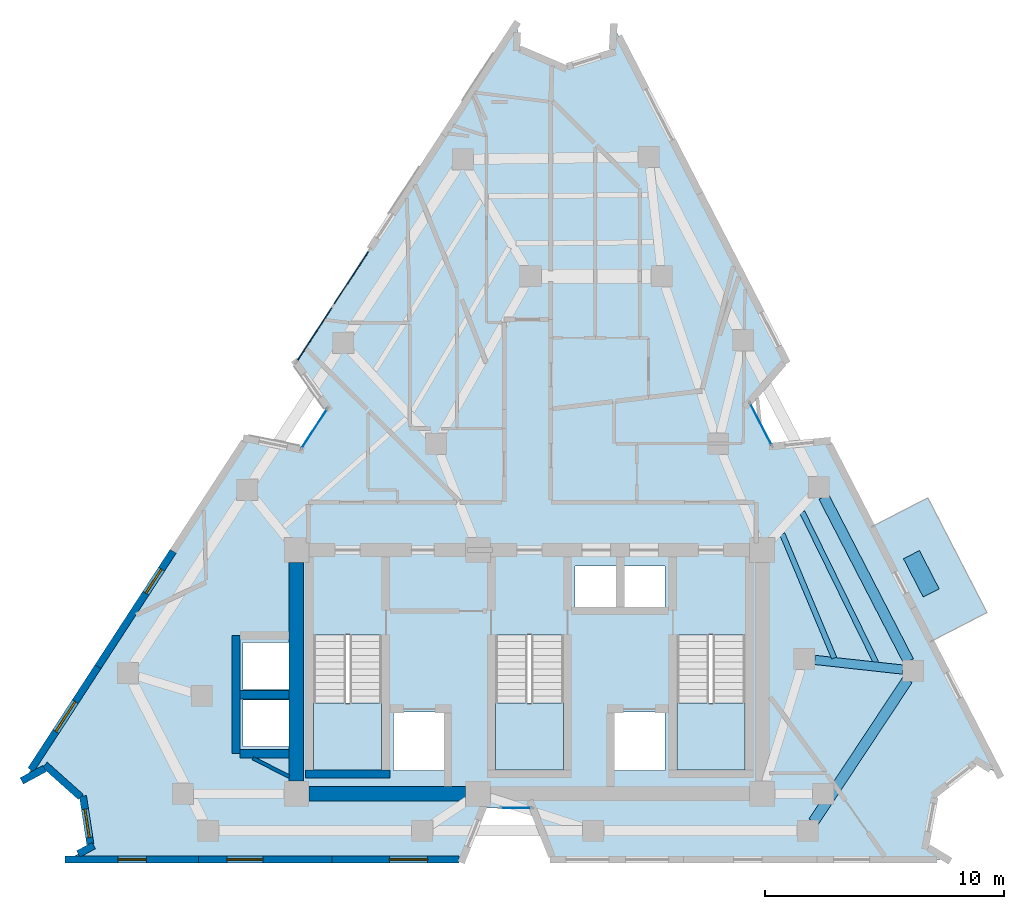
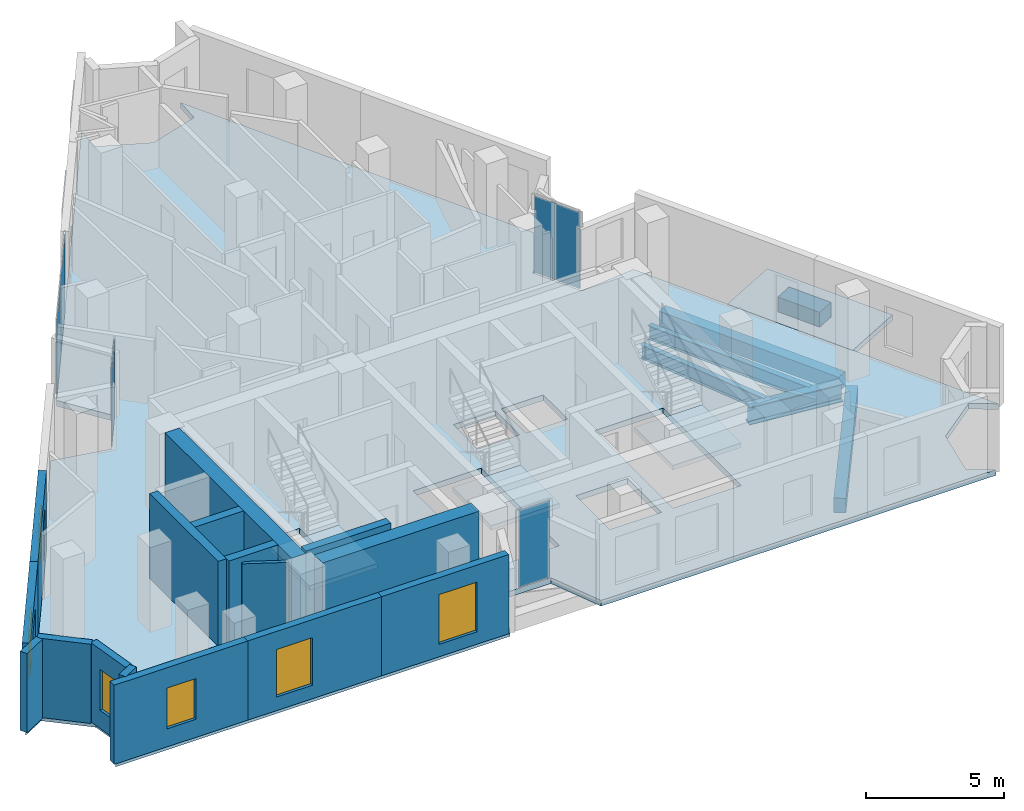
# One storey, part 4 of 10: 16 walls, 6 plates, 6 windows, 5 beams, 5 slabs, 6 openings, 7 elements without a shape of their own.
"""IFC4 building model written with IfcOpenShell, lengths in metres."""

import ifcopenshell
import ifcopenshell.guid

model = None  # the IFC model being written
_history = None  # IfcOwnerHistory: only IFC2X3 demands one
_inside = {}  # id of a spatial element -> (the spatial element, [elements in it])
_under = {}  # id of a project, library or spatial element -> (it, [spatial elements below it])
_declared = {}  # id of a project -> (the project, [libraries it declares])
_typed = {}  # id of a type object -> (the type object, [elements of that type])
_made_of = {}  # id of a material, layer set ... -> (it, [elements and type objects made of it])


def new_model(schema):
    """Start an empty IFC model of exactly this schema.

    Asked for "IFC4X3", IfcOpenShell would pick the latest addendum, in which some entities
    have other attributes; the version numbers below select the first issue.
    IFC2X3 requires an IfcOwnerHistory on every rooted entity: one is made here for all.
    """
    global model, _history
    if schema == "IFC4X3":
        model = ifcopenshell.file(schema_version=(4, 3, 0, 0))
    else:
        model = ifcopenshell.file(schema=schema)
    _inside.clear()
    _under.clear()
    _declared.clear()
    _typed.clear()
    _made_of.clear()
    _history = None
    if model.schema == "IFC2X3":
        org = make("IfcOrganization", Name="unknown")
        user = make(
            "IfcPersonAndOrganization",
            ThePerson=make("IfcPerson", FamilyName="unknown"),
            TheOrganization=org,
        )
        app = make(
            "IfcApplication",
            ApplicationDeveloper=org,
            Version="unknown",
            ApplicationFullName="unknown",
            ApplicationIdentifier="unknown",
        )
        _history = make(
            "IfcOwnerHistory",
            OwningUser=user,
            OwningApplication=app,
            ChangeAction="ADDED",
            CreationDate=0,
        )
    return model


def make(cls, **values):
    """One entity of the class cls with the attributes given. An attribute that is None is left unset."""
    return model.create_entity(
        cls, **{name: value for name, value in values.items() if value is not None}
    )


def rooted(cls, **values):
    """An entity with a GlobalId (a new one), such as an element, a storey or a relation."""
    return make(cls, GlobalId=ifcopenshell.guid.new(), OwnerHistory=_history, **values)


def si_unit(unit_type, name, prefix=None):
    """IfcSIUnit, for example si_unit("LENGTHUNIT", "METRE", prefix="MILLI")."""
    return make("IfcSIUnit", UnitType=unit_type, Prefix=prefix, Name=name)


def assignment(units):
    """IfcUnitAssignment: the units of a project."""
    return None if units is None else make("IfcUnitAssignment", Units=units)


def point(xyz):
    """IfcCartesianPoint."""
    return None if xyz is None else make("IfcCartesianPoint", Coordinates=xyz)


def direction(xyz):
    """IfcDirection."""
    return None if xyz is None else make("IfcDirection", DirectionRatios=xyz)


def frame(location, z_axis=None, x_axis=None):
    """IfcAxis2Placement3D, a coordinate frame: its origin and axes. An axis left out is left unset."""
    return make(
        "IfcAxis2Placement3D",
        Location=point(location),
        Axis=direction(z_axis),
        RefDirection=direction(x_axis),
    )


def frame_2d(location, x_axis=None):
    """IfcAxis2Placement2D, a coordinate frame in the plane: its origin and x axis."""
    return make(
        "IfcAxis2Placement2D", Location=point(location), RefDirection=direction(x_axis)
    )


def origin():
    """The frame at (0, 0, 0) with its axes left unset."""
    return frame((0.0, 0.0, 0.0))


def origin_2d():
    """The frame at (0, 0) in the plane with its x axis left unset."""
    return frame_2d((0.0, 0.0))


def place(relative_to, where):
    """IfcLocalPlacement: puts the frame where relative to a parent placement (None: the world)."""
    return make(
        "IfcLocalPlacement", PlacementRelTo=relative_to, RelativePlacement=where
    )


def context(
    kind, dimensions, precision=None, world=None, true_north=None, identifier=None
):
    """IfcGeometricRepresentationContext, for example the 3D "Model" context."""
    return make(
        "IfcGeometricRepresentationContext",
        ContextIdentifier=identifier,
        ContextType=kind,
        CoordinateSpaceDimension=dimensions,
        Precision=precision,
        WorldCoordinateSystem=world,
        TrueNorth=true_north,
    )


def subcontext(parent, identifier, kind, view, scale=None):
    """IfcGeometricRepresentationSubContext, for example "Body" below "Model"."""
    return make(
        "IfcGeometricRepresentationSubContext",
        ContextIdentifier=identifier,
        ContextType=kind,
        ParentContext=parent,
        TargetScale=scale,
        TargetView=view,
    )


def project(units=None, contexts=None):
    """IfcProject with its units and contexts."""
    return rooted(
        "IfcProject",
        Name="project",
        RepresentationContexts=contexts,
        UnitsInContext=assignment(units),
    )


def spatial(cls, under=None, at=None, **own):
    """A site, building, storey or space (cls), placed at a placement, below another one or the project."""
    s = rooted(cls, ObjectPlacement=at, **own)
    if under is not None:
        _under.setdefault(under.id(), (under, []))[1].append(s)
    return s


def polyline(points):
    """IfcPolyline through the points."""
    return make("IfcPolyline", Points=[point(p) for p in points])


def profile(cls, at=None, kind="AREA", **sizes):
    """A parametric profile (cls). Its sizes go by their IFC names, for example OverallWidth=200.0."""
    return make(cls, ProfileType=kind, Position=at, **sizes)


def rectangle(**sizes):
    """IfcRectangleProfileDef."""
    return profile("IfcRectangleProfileDef", **sizes)


def i_section(**sizes):
    """IfcIShapeProfileDef."""
    return profile("IfcIShapeProfileDef", **sizes)


def outline(outer, holes=None, kind="AREA"):
    """IfcArbitraryClosedProfileDef: a profile drawn as a closed curve; with holes, ...WithVoids."""
    if holes is None:
        return make("IfcArbitraryClosedProfileDef", ProfileType=kind, OuterCurve=outer)
    return make(
        "IfcArbitraryProfileDefWithVoids",
        ProfileType=kind,
        OuterCurve=outer,
        InnerCurves=holes,
    )


def extrude(swept, where, along, depth):
    """IfcExtrudedAreaSolid: the profile swept, set in the frame where, extruded along a direction by depth."""
    return make(
        "IfcExtrudedAreaSolid",
        SweptArea=swept,
        Position=where,
        ExtrudedDirection=direction(along),
        Depth=depth,
    )


def shape(context_of_items, identifier, shape_type, items):
    """IfcShapeRepresentation: the items that make up one representation, for example the "Body"."""
    return make(
        "IfcShapeRepresentation",
        ContextOfItems=context_of_items,
        RepresentationIdentifier=identifier,
        RepresentationType=shape_type,
        Items=items,
    )


def material(Name=None, Category=None):
    """IfcMaterial."""
    return make("IfcMaterial", Name=Name, Category=Category)


def layer(
    of_material, thickness, ventilated=None, Name=None, Category=None, Priority=None
):
    """IfcMaterialLayer: one layer of a wall or slab, of a material (None: an air gap)."""
    return make(
        "IfcMaterialLayer",
        Material=of_material,
        LayerThickness=thickness,
        IsVentilated=ventilated,
        Name=Name,
        Category=Category,
        Priority=Priority,
    )


def layer_set(layers, Name=None):
    """IfcMaterialLayerSet."""
    return make("IfcMaterialLayerSet", MaterialLayers=layers, LayerSetName=Name)


def material_profile(
    of_material, cross_section, Name=None, Category=None, Priority=None
):
    """IfcMaterialProfile: a cross section and its material."""
    return make(
        "IfcMaterialProfile",
        Name=Name,
        Material=of_material,
        Profile=cross_section,
        Priority=Priority,
        Category=Category,
    )


def profile_set(profiles, Name=None, composite=None):
    """IfcMaterialProfileSet."""
    return make(
        "IfcMaterialProfileSet",
        Name=Name,
        MaterialProfiles=profiles,
        CompositeProfile=composite,
    )


def made_of(thing, what):
    """Note that an element or type object is made of a material, layer set ...; save() writes the relation."""
    if what is not None:
        _made_of.setdefault(what.id(), (what, []))[1].append(thing)
    return thing


def type_object(cls, material=None, **own):
    """A type object (cls), such as IfcWallType, which elements share."""
    return made_of(rooted(cls, **own), material)


def element(
    cls,
    number,
    at=None,
    inside=None,
    cuts=None,
    type_object=None,
    material=None,
    context=None,
    identifier="Body",
    shape_type=None,
    held_by="IfcProductDefinitionShape",
    body=None,
    shapes=None,
    **own,
):
    """One element of the class cls, such as IfcWall. Its Tag is "e" and its number.

    at: its placement. inside: the storey or other place that contains it. cuts: it is an
    opening in that element (IfcRelVoidsElement). A single representation is given by context,
    identifier, shape_type and body (its items); several are given by shapes. held_by: the class
    of the entity that holds the representations. save() writes the other relations.
    """
    e = rooted(cls, Tag="e%d" % number, ObjectPlacement=at, **own)
    if body is not None:
        shapes = [shape(context, identifier, shape_type, body)]
    if shapes is not None:
        e.Representation = make(held_by, Representations=shapes)
    if inside is not None:
        _inside.setdefault(inside.id(), (inside, []))[1].append(e)
    if cuts is not None:
        rooted(
            "IfcRelVoidsElement", RelatingBuildingElement=cuts, RelatedOpeningElement=e
        )
    if type_object is not None:
        _typed.setdefault(type_object.id(), (type_object, []))[1].append(e)
    return made_of(e, material)


def fill(opening, filler):
    """IfcRelFillsElement: the door or window that sits in an opening."""
    return rooted(
        "IfcRelFillsElement",
        RelatingOpeningElement=opening,
        RelatedBuildingElement=filler,
    )


def aggregate(whole, parts):
    """IfcRelAggregates: a whole, such as a stair, and the parts it consists of."""
    return rooted("IfcRelAggregates", RelatingObject=whole, RelatedObjects=parts)


def save(model, path):
    """Write the relations noted so far, then the file.

    IfcRelAggregates (storeys below a building ...), IfcRelContainedInSpatialStructure (elements
    in a storey), IfcRelDefinesByType, IfcRelAssociatesMaterial and IfcRelDeclares: one each for
    every whole, place, type object, material and project.
    """
    for whole, parts in _under.values():
        aggregate(whole, parts)
    for where, things in _inside.values():
        rooted(
            "IfcRelContainedInSpatialStructure",
            RelatedElements=things,
            RelatingStructure=where,
        )
    for kind, things in _typed.values():
        rooted("IfcRelDefinesByType", RelatedObjects=things, RelatingType=kind)
    for what, things in _made_of.values():
        rooted("IfcRelAssociatesMaterial", RelatedObjects=things, RelatingMaterial=what)
    for by, libraries in _declared.values():
        rooted("IfcRelDeclares", RelatingContext=by, RelatedDefinitions=libraries)
    model.write(path)


model = new_model("IFC4")

# Units and contexts
model_context = context("Model", 3, precision=1e-05, world=origin(), true_north=direction((0.0, 1.0)))
body_context = subcontext(model_context, "Body", "Model", "MODEL_VIEW")
ifc_project = project(units=[si_unit("LENGTHUNIT", "METRE"), si_unit("AREAUNIT", "SQUARE_METRE"), si_unit("VOLUMEUNIT", "CUBIC_METRE"), si_unit("PLANEANGLEUNIT", "RADIAN"), si_unit("MASSUNIT", "GRAM", prefix="KILO")], contexts=[model_context])

# Site, building, storey
site_placement = place(None, origin())
site = spatial("IfcSite", under=ifc_project, at=site_placement, CompositionType="ELEMENT")
building_placement = place(site_placement, origin())
building = spatial("IfcBuilding", under=site, at=building_placement, Name="Almagre Mirador Tower", CompositionType="ELEMENT")
storey_placement = place(building_placement, frame((0.0, 0.0, 222.0)))
storey = spatial("IfcBuildingStorey", under=building, at=storey_placement, Name="L57", CompositionType="ELEMENT", Elevation=222.0)

# Beams
ifc_material_1 = material(Name="Steel ASTM A992 Grade 50", Category="steel")
ifc_material_profile_1 = material_profile(ifc_material_1, i_section(OverallWidth=0.22802734375, OverallDepth=0.60791015625, WebThickness=0.01123046875, FlangeThickness=0.017333984375, FilletRadius=0.02001953125, at=origin_2d()), Name="W24X76")
ifc_profile_set_1 = profile_set([ifc_material_profile_1], Name="Steel ASTM A992 Grade 50")
beam_type_1 = type_object("IfcBeamType", Name="BM-JST-W24X76", PredefinedType="JOIST", material=ifc_profile_set_1)
beam_1_placement = place(storey_placement, frame((51.814208984375, 10.032470703125, -0.553955078125), z_axis=(-0.440499526786, 0.897752842881, 0.0), x_axis=(-0.897752842881, -0.440499526786, 0.0)))
element("IfcBeam", 1, at=beam_1_placement, inside=storey, type_object=beam_type_1, Name="L57 secondary floor joist PC05-PC06.1", PredefinedType="JOIST", context=body_context, shape_type="SweptSolid", body=[
    extrude(i_section(OverallWidth=0.22802734375, OverallDepth=0.60791015625, WebThickness=0.01123046875, FlangeThickness=0.017333984375, FilletRadius=0.02001953125, at=origin_2d()), origin(), (0.0, 0.0, 1.0), 7.02392578125),
])
beam_2_placement = place(storey_placement, frame((50.056884765625, 10.231201171875, -0.553955078125), z_axis=(-0.38582023775, 0.922573977599, 0.0), x_axis=(-0.922573977599, -0.38582023775, 0.0)))
element("IfcBeam", 2, at=beam_2_placement, inside=storey, type_object=beam_type_1, Name="L57 secondary floor joist PC05-PC06.3", PredefinedType="JOIST", context=body_context, shape_type="SweptSolid", body=[
    extrude(i_section(OverallWidth=0.22802734375, OverallDepth=0.60791015625, WebThickness=0.01123046875, FlangeThickness=0.017333984375, FilletRadius=0.02001953125, at=origin_2d()), origin(), (0.0, 0.0, 1.0), 5.624267578125),
])
ifc_material_2 = material(Name="Precast concrete C50/60", Category="concrete")
ifc_material_profile_2 = material_profile(ifc_material_2, rectangle(XDim=0.449951171875, YDim=0.64990234375, at=origin_2d()), Name="RC450X650")
ifc_profile_set_2 = profile_set([ifc_material_profile_2], Name="Precast concrete C50/60")
beam_type_2 = type_object("IfcBeamType", Name="BM-SPN-RC450X650", PredefinedType="SPANDREL", material=ifc_profile_set_2)
beam_3_placement = place(storey_placement, frame((49.1923828125, 3.375244140625, -0.574951171875), z_axis=(0.551908560309, 0.83390463547, 0.0), x_axis=(-0.83390463547, 0.551908560309, 0.0)))
element("IfcBeam", 3, at=beam_3_placement, inside=storey, type_object=beam_type_2, Name="L57 perimeter spandrel beam PC04-PC05", PredefinedType="SPANDREL", context=body_context, shape_type="SweptSolid", body=[
    extrude(rectangle(XDim=0.449951171875, YDim=0.64990234375, at=origin_2d()), origin(), (0.0, 0.0, 1.0), 7.132080078125),
])
beam_4_placement = place(storey_placement, frame((53.1708984375, 10.097900390625, -0.574951171875), z_axis=(-0.45829341544, 0.888800959363, 0.0), x_axis=(-0.888800959363, -0.45829341544, 0.0)))
element("IfcBeam", 4, at=beam_4_placement, inside=storey, type_object=beam_type_2, Name="L57 perimeter spandrel beam PC05-PC06", PredefinedType="SPANDREL", context=body_context, shape_type="SweptSolid", body=[
    extrude(rectangle(XDim=0.449951171875, YDim=0.64990234375, at=origin_2d()), origin(), (0.0, 0.0, 1.0), 7.740966796875),
])
ifc_material_3 = material(Name="Steel ASTM A992 Grade 50", Category="steel")
ifc_material_profile_3 = material_profile(ifc_material_3, i_section(OverallWidth=0.384033203125, OverallDepth=0.784912109375, WebThickness=0.019775390625, FlangeThickness=0.033447265625, FilletRadius=0.02392578125, at=origin_2d()), Name="W30X211")
ifc_profile_set_3 = profile_set([ifc_material_profile_3], Name="Steel ASTM A992 Grade 50")
beam_type_3 = type_object("IfcBeamType", Name="BM-STL-W30X211", PredefinedType="BEAM", material=ifc_profile_set_3)
beam_5_placement = place(storey_placement, frame((52.9296875, 9.7470703125, -0.642578125), z_axis=(-0.994041045224, 0.109006423709, 0.0), x_axis=(-0.109006423709, -0.994041045224, 0.0)))
element("IfcBeam", 5, at=beam_5_placement, inside=storey, type_object=beam_type_3, Name="L57 radial floor girder PC05-MC3", PredefinedType="BEAM", context=body_context, shape_type="SweptSolid", body=[
    extrude(i_section(OverallWidth=0.384033203125, OverallDepth=0.784912109375, WebThickness=0.019775390625, FlangeThickness=0.033447265625, FilletRadius=0.02392578125, at=origin_2d()), origin(), (0.0, 0.0, 1.0), 3.704345703125),
])

# Curtain wall, plate
ifc_material_4 = material(Name="Black anodized aluminium", Category="aluminium")
ifc_layer_1 = layer(ifc_material_4, 0.169921875)
ifc_layer_set_1 = layer_set([ifc_layer_1], Name="Black anodized aluminium")
curtain_wall_type_1 = type_object("IfcCurtainWallType", Name="CW-CRS-SYS", PredefinedType="NOTDEFINED", material=ifc_layer_set_1)
curtain_wall_1_placement = place(storey_placement, origin())
curtain_wall_1 = element("IfcCurtainWall", 6, at=curtain_wall_1_placement, inside=storey, type_object=curtain_wall_type_1, Name="L57 vertical crease curtain wall 01", PredefinedType="NOTDEFINED")
ifc_material_5 = material(Name="Dark solar-control laminated hurricane glass", Category="glass")
ifc_layer_2 = layer(ifc_material_5, 0.028076171875)
ifc_layer_set_2 = layer_set([ifc_layer_2], Name="Dark solar-control laminated hurricane glass")
plate_type_1 = type_object("IfcPlateType", Name="PLT-GLZ-28", PredefinedType="CURTAIN_PANEL", material=ifc_layer_set_2)
plate_1_placement = place(storey_placement, frame((28.302001953125, 19.826904296875, 0.06005859375), z_axis=(0.0, 0.0, 1.0), x_axis=(0.545391870387, 0.838181190266, 0.0)))
plate_1 = element("IfcPlate", 7, at=plate_1_placement, type_object=plate_type_1, Name="CW-4 panel 1.1", PredefinedType="CURTAIN_PANEL", context=body_context, shape_type="SweptSolid", body=[
    extrude(rectangle(XDim=1.97021484375, YDim=0.028076171875, at=origin_2d()), origin(), (0.0, 0.0, 1.0), 3.3798828125),
])
aggregate(curtain_wall_1, [plate_1])

curtain_wall_2_placement = place(storey_placement, origin())
curtain_wall_2 = element("IfcCurtainWall", 8, at=curtain_wall_2_placement, inside=storey, type_object=curtain_wall_type_1, Name="L57 vertical crease curtain wall 03", PredefinedType="NOTDEFINED")
plate_2_placement = place(storey_placement, frame((46.989013671875, 20.014404296875, 0.06005859375), z_axis=(0.0, 0.0, 1.0), x_axis=(0.458472245436, -0.888708726279, 0.0)))
plate_2 = element("IfcPlate", 9, at=plate_2_placement, type_object=plate_type_1, Name="CW-4 panel 1.1", PredefinedType="CURTAIN_PANEL", context=body_context, shape_type="SweptSolid", body=[
    extrude(rectangle(XDim=1.969482421875, YDim=0.028076171875, at=origin_2d()), origin(), (0.0, 0.0, 1.0), 3.3798828125),
])
aggregate(curtain_wall_2, [plate_2])

curtain_wall_3_placement = place(storey_placement, origin())
curtain_wall_3 = element("IfcCurtainWall", 10, at=curtain_wall_3_placement, inside=storey, type_object=curtain_wall_type_1, Name="L57 vertical crease curtain wall 04", PredefinedType="NOTDEFINED")
plate_3_placement = place(storey_placement, frame((36.739990234375, 3.949951171875, 0.06005859375), z_axis=(0.0, 0.0, 1.0), x_axis=(-1.0, 0.0, 0.0)))
plate_3 = element("IfcPlate", 11, at=plate_3_placement, type_object=plate_type_1, Name="CW-4 panel 1.1", PredefinedType="CURTAIN_PANEL", context=body_context, shape_type="SweptSolid", body=[
    extrude(rectangle(XDim=1.2900390625, YDim=0.028076171875, at=origin_2d()), origin(), (0.0, 0.0, 1.0), 3.3798828125),
])
aggregate(curtain_wall_3, [plate_3])

# Curtain wall, plates
ifc_material_6 = material(Name="Black anodized aluminium", Category="aluminium")
ifc_layer_3 = layer(ifc_material_6, 0.199951171875)
ifc_layer_set_3 = layer_set([ifc_layer_3], Name="Black anodized aluminium")
curtain_wall_type_2 = type_object("IfcCurtainWallType", Name="CW-RES-H-SYS", PredefinedType="NOTDEFINED", material=ifc_layer_set_3)
curtain_wall_4_placement = place(storey_placement, origin())
curtain_wall_4 = element("IfcCurtainWall", 12, at=curtain_wall_4_placement, inside=storey, type_object=curtain_wall_type_2, Name="L57 curtain wall run 02", PredefinedType="NOTDEFINED")
ifc_material_7 = material(Name="Dark solar-control laminated hurricane glass", Category="glass")
ifc_layer_4 = layer(ifc_material_7, 0.035888671875)
ifc_layer_set_4 = layer_set([ifc_layer_4], Name="Dark solar-control laminated hurricane glass")
plate_type_2 = type_object("IfcPlateType", Name="PLT-GLZ-36", PredefinedType="CURTAIN_PANEL", material=ifc_layer_set_4)
plate_4_placement = place(storey_placement, frame((28.3193359375, 23.793701171875, 0.06494140625), z_axis=(0.0, 0.0, 1.0), x_axis=(0.545595693916, 0.838048530086, 0.0)))
plate_4 = element("IfcPlate", 13, at=plate_4_placement, type_object=plate_type_2, Name="CW-3 panel 1.1", PredefinedType="CURTAIN_PANEL", context=body_context, shape_type="SweptSolid", body=[
    extrude(rectangle(XDim=2.737548828125, YDim=0.035888671875, at=origin_2d()), origin(), (0.0, 0.0, 1.0), 3.3701171875),
])
plate_5_placement = place(storey_placement, frame((29.848388671875, 26.142333984375, 0.06494140625), z_axis=(0.0, 0.0, 1.0), x_axis=(0.545595693916, 0.838048530086, 0.0)))
plate_5 = element("IfcPlate", 14, at=plate_5_placement, type_object=plate_type_2, Name="CW-3 panel 2.1", PredefinedType="CURTAIN_PANEL", context=body_context, shape_type="SweptSolid", body=[
    extrude(rectangle(XDim=2.737548828125, YDim=0.035888671875, at=origin_2d()), origin(), (0.0, 0.0, 1.0), 3.3701171875),
])
aggregate(curtain_wall_4, [plate_4, plate_5])

# Plate
ifc_material_8 = material(Name="Precast concrete C50/60", Category="concrete")
ifc_layer_5 = layer(ifc_material_8, 0.64990234375)
ifc_layer_set_5 = layer_set([ifc_layer_5], Name="Precast concrete C50/60")
plate_type_3 = type_object("IfcPlateType", Name="PLT-PLANTER-1800", PredefinedType="USERDEFINED", material=ifc_layer_set_5)
plate_6_placement = place(storey_placement, frame((53.7041015625, 13.7548828125, 0.0), z_axis=(0.0, 0.0, 1.0), x_axis=(-0.45829280372, 0.888801274784, 0.0)))
element("IfcPlate", 15, at=plate_6_placement, inside=storey, type_object=plate_type_3, Name="L57 east balcony structural tree planter 1", ObjectType="PLANTER", PredefinedType="USERDEFINED", context=body_context, shape_type="SweptSolid", body=[
    extrude(rectangle(XDim=1.800048828125, YDim=0.75, at=origin_2d()), origin(), (0.0, 0.0, 1.0), 0.64990234375),
])

# Slabs
ifc_material_9 = material(Name="Concrete C45/55", Category="concrete")
ifc_layer_6 = layer(ifc_material_9, 0.239990234375)
ifc_layer_set_6 = layer_set([ifc_layer_6], Name="Concrete C45/55")
slab_type_1 = type_object("IfcSlabType", Name="SLB-BAL-240", PredefinedType="USERDEFINED", material=ifc_layer_set_6)
slab_1_placement = place(storey_placement, frame((0.0, 0.0, -0.239990234375)))
element("IfcSlab", 16, at=slab_1_placement, inside=storey, type_object=slab_type_1, Name="L57 east planted tree balcony 1", ObjectType="BALCONY", PredefinedType="USERDEFINED", context=body_context, shape_type="SweptSolid", body=[
    extrude(outline(polyline([(54.0791015625, 10.910888671875), (51.60498046875, 15.7109375), (53.97802734375, 16.93408203125), (56.452880859375, 12.135009765625), (54.0791015625, 10.910888671875)])), origin(), (0.0, 0.0, 1.0), 0.239990234375),
])
ifc_material_10 = material(Name="Concrete C45/55", Category="concrete")
ifc_layer_7 = layer(ifc_material_10, 0.25)
ifc_layer_set_7 = layer_set([ifc_layer_7], Name="Concrete C45/55")
slab_type_2 = type_object("IfcSlabType", Name="SLB-FLR-250", PredefinedType="FLOOR", material=ifc_layer_set_7)
slab_2_placement = place(storey_placement, frame((0.0, 0.0, -0.25)))
element("IfcSlab", 17, at=slab_2_placement, inside=storey, type_object=slab_type_2, Name="L57 structural floor slab", PredefinedType="FLOOR", context=body_context, shape_type="SweptSolid", body=[
    extrude(outline(polyline([(16.181884765625, 5.152099609375), (17.132080078125, 5.6669921875), (18.64208984375, 4.31689453125), (18.948974609375, 2.31494140625), (18.0, 1.800048828125), (34.5, 1.800048828125), (35.35498046875, 3.949951171875), (37.445068359375, 3.949951171875), (38.300048828125, 1.800048828125), (54.800048828125, 1.800048828125), (53.8779296875, 2.362060546875), (54.291015625, 4.548095703125), (56.044921875, 5.9169921875), (56.967041015625, 5.35498046875), (49.77099609375, 19.31103515625), (47.468017578125, 19.0859375), (46.510009765625, 20.943115234375), (48.029052734375, 22.68896484375), (40.8330078125, 36.64501953125), (40.779052734375, 35.56591796875), (38.73291015625, 34.927001953125), (36.762939453125, 35.76904296875), (36.818115234375, 36.847900390625), (27.537109375, 22.592041015625), (28.8720703125, 20.702880859375), (27.73193359375, 18.950927734375), (25.462890625, 19.407958984375), (16.181884765625, 5.152099609375)]), holes=[polyline([(43.47509765625, 5.550048828125), (43.47509765625, 11.196044921875), (46.324951171875, 11.196044921875), (46.324951171875, 5.550048828125), (43.47509765625, 5.550048828125)]), polyline([(41.219970703125, 12.320068359375), (41.219970703125, 14.080078125), (42.97998046875, 14.080078125), (42.97998046875, 12.320068359375), (41.219970703125, 12.320068359375)]), polyline([(42.97998046875, 5.52001953125), (40.820068359375, 5.52001953125), (40.820068359375, 7.97998046875), (42.97998046875, 7.97998046875), (42.97998046875, 5.52001953125)]), polyline([(39.219970703125, 12.320068359375), (39.219970703125, 14.080078125), (40.97998046875, 14.080078125), (40.97998046875, 12.320068359375), (39.219970703125, 12.320068359375)]), polyline([(35.875, 5.550048828125), (35.875, 11.196044921875), (38.72509765625, 11.196044921875), (38.72509765625, 5.550048828125), (35.875, 5.550048828125)]), polyline([(33.780029296875, 5.52001953125), (31.6201171875, 5.52001953125), (31.6201171875, 7.97998046875), (33.780029296875, 7.97998046875), (33.780029296875, 5.52001953125)]), polyline([(28.27490234375, 5.550048828125), (28.27490234375, 11.196044921875), (31.125, 11.196044921875), (31.125, 5.550048828125), (28.27490234375, 5.550048828125)]), polyline([(27.3798828125, 6.52001953125), (25.320068359375, 6.52001953125), (25.320068359375, 8.47998046875), (27.3798828125, 8.47998046875), (27.3798828125, 6.52001953125)]), polyline([(27.3798828125, 8.919921875), (25.320068359375, 8.919921875), (25.320068359375, 10.8798828125), (27.3798828125, 10.8798828125), (27.3798828125, 8.919921875)])]), origin(), (0.0, 0.0, 1.0), 0.25),
])

# Stair, slab
ifc_material_11 = material(Name="Concrete C45/55", Category="concrete")
stair_type = type_object("IfcStairType", Name="STR-DL-3750", PredefinedType="HALF_TURN_STAIR", material=ifc_material_11)
stair_1_placement = place(storey_placement, origin())
stair_1 = element("IfcStair", 18, at=stair_1_placement, inside=storey, type_object=stair_type, Name="L57 Protected exit stair ST-1", PredefinedType="HALF_TURN_STAIR")
ifc_material_12 = material(Name="Concrete C45/55", Category="concrete")
ifc_layer_8 = layer(ifc_material_12, 0.199951171875)
ifc_layer_set_8 = layer_set([ifc_layer_8], Name="Concrete C45/55")
slab_type_3 = type_object("IfcSlabType", Name="SLB-LND-200", PredefinedType="LANDING", material=ifc_layer_set_8)
slab_3_placement = place(storey_placement, frame((0.0, 0.0, 1.675048828125)))
slab_3 = element("IfcSlab", 19, at=slab_3_placement, type_object=slab_type_3, Name="ST-1 landing 1", PredefinedType="LANDING", context=body_context, shape_type="SweptSolid", body=[
    extrude(outline(polyline([(28.27490234375, 8.35009765625), (28.27490234375, 5.550048828125), (31.125, 5.550048828125), (31.125, 8.35009765625), (28.27490234375, 8.35009765625)])), origin(), (0.0, 0.0, 1.0), 0.199951171875),
])
aggregate(stair_1, [slab_3])

stair_2_placement = place(storey_placement, origin())
stair_2 = element("IfcStair", 20, at=stair_2_placement, inside=storey, type_object=stair_type, Name="L57 Protected exit stair ST-2", PredefinedType="HALF_TURN_STAIR")
slab_4_placement = place(storey_placement, frame((0.0, 0.0, 1.675048828125)))
slab_4 = element("IfcSlab", 21, at=slab_4_placement, type_object=slab_type_3, Name="ST-2 landing 1", PredefinedType="LANDING", context=body_context, shape_type="SweptSolid", body=[
    extrude(outline(polyline([(35.875, 8.35009765625), (35.875, 5.550048828125), (38.72509765625, 5.550048828125), (38.72509765625, 8.35009765625), (35.875, 8.35009765625)])), origin(), (0.0, 0.0, 1.0), 0.199951171875),
])
aggregate(stair_2, [slab_4])

stair_3_placement = place(storey_placement, origin())
stair_3 = element("IfcStair", 22, at=stair_3_placement, inside=storey, type_object=stair_type, Name="L57 Protected exit stair ST-3", PredefinedType="HALF_TURN_STAIR")
slab_5_placement = place(storey_placement, frame((0.0, 0.0, 1.675048828125)))
slab_5 = element("IfcSlab", 23, at=slab_5_placement, type_object=slab_type_3, Name="ST-3 landing 1", PredefinedType="LANDING", context=body_context, shape_type="SweptSolid", body=[
    extrude(outline(polyline([(43.47509765625, 8.35009765625), (43.47509765625, 5.550048828125), (46.324951171875, 5.550048828125), (46.324951171875, 8.35009765625), (43.47509765625, 8.35009765625)])), origin(), (0.0, 0.0, 1.0), 0.199951171875),
])
aggregate(stair_3, [slab_5])

# Wall, opening, window
ifc_material_13 = material(Name="Precast concrete C50/60", Category="concrete")
ifc_layer_9 = layer(ifc_material_13, 0.300048828125)
ifc_layer_set_9 = layer_set([ifc_layer_9], Name="Precast concrete C50/60")
wall_type_1 = type_object("IfcWallType", Name="WAL-EXT-300", PredefinedType="SOLIDWALL", material=ifc_layer_set_9)
wall_1_placement = place(storey_placement, frame((34.360107421875, 1.800048828125, 0.0), z_axis=(0.0, 0.0, 1.0), x_axis=(-1.0, 0.0, 0.0)))
wall_1 = element("IfcWall", 24, at=wall_1_placement, inside=storey, type_object=wall_type_1, Name="L57 expressed almagre precast frame wall 24", PredefinedType="SOLIDWALL", context=body_context, shape_type="SweptSolid", body=[
    extrude(rectangle(XDim=5.3134765625, YDim=0.300048828125, at=frame_2d((2.65673828125, 0.0))), origin(), (0.0, 0.0, 1.0), 3.5),
])
opening_1_placement = place(wall_1_placement, frame((1.320068359375, 0.0, 0.550048828125)))
opening_1 = element("IfcOpeningElement", 25, at=opening_1_placement, cuts=wall_1, Name="Opening WN-06", PredefinedType="OPENING", context=body_context, shape_type="SweptSolid", body=[
    extrude(rectangle(XDim=1.60009765625, YDim=2.199951171875, at=frame_2d((0.800048828125, 1.10009765625))), frame((0.0, 0.159902, 0.0), z_axis=(0.0, -1.0, 0.0), x_axis=(1.0, 0.0, 0.0)), (0.0, 0.0, 1.0), 0.320049),
])
ifc_material_14 = material(Name="Dark solar-control laminated hurricane glass", Category="glass")
window_type_1 = type_object("IfcWindowType", Name="WIN-1600X2200", PartitioningType="DOUBLE_PANEL_VERTICAL", PredefinedType="WINDOW", material=ifc_material_14)
window_1_placement = place(opening_1_placement, origin())
window_1 = element("IfcWindow", 26, at=window_1_placement, inside=storey, type_object=window_type_1, Name="L57 recessed hurricane window L57-UB-KT", OverallHeight=2.199951171875, OverallWidth=1.60009765625, PartitioningType="SINGLE_PANEL", PredefinedType="WINDOW", context=body_context, shape_type="SweptSolid", body=[
    extrude(rectangle(XDim=1.60009765625, YDim=2.199951171875, at=frame_2d((0.800048828125, 1.10009765625))), frame((0.0, 0.030029296875, 0.0), z_axis=(0.0, -1.0, 0.0), x_axis=(1.0, 0.0, 0.0)), (0.0, 0.0, 1.0), 0.06005859375),
])
fill(opening_1, window_1)

wall_2_placement = place(storey_placement, frame((29.046630859375, 1.800048828125, 0.0), z_axis=(0.0, 0.0, 1.0), x_axis=(-1.0, 0.0, 0.0)))
wall_2 = element("IfcWall", 27, at=wall_2_placement, inside=storey, type_object=wall_type_1, Name="L57 expressed almagre precast frame wall 25", PredefinedType="SOLIDWALL", context=body_context, shape_type="SweptSolid", body=[
    extrude(rectangle(XDim=5.59326171875, YDim=0.300048828125, at=frame_2d((2.796630859375, 0.0))), origin(), (0.0, 0.0, 1.0), 3.5),
])
opening_2_placement = place(wall_2_placement, frame((2.89990234375, 0.0, 0.60009765625)))
opening_2 = element("IfcOpeningElement", 28, at=opening_2_placement, cuts=wall_2, Name="Opening WN-03", PredefinedType="OPENING", context=body_context, shape_type="SweptSolid", body=[
    extrude(rectangle(XDim=1.5, YDim=2.10009765625, at=frame_2d((0.75, 1.050048828125))), frame((0.0, 0.159902, 0.0), z_axis=(0.0, -1.0, 0.0), x_axis=(1.0, 0.0, 0.0)), (0.0, 0.0, 1.0), 0.320049),
])
ifc_material_15 = material(Name="Dark solar-control laminated hurricane glass", Category="glass")
window_type_2 = type_object("IfcWindowType", Name="WIN-1500X2100", PartitioningType="DOUBLE_PANEL_VERTICAL", PredefinedType="WINDOW", material=ifc_material_15)
window_2_placement = place(opening_2_placement, origin())
window_2 = element("IfcWindow", 29, at=window_2_placement, inside=storey, type_object=window_type_2, Name="L57 recessed hurricane window L57-UA-KT", OverallHeight=2.10009765625, OverallWidth=1.5, PartitioningType="SINGLE_PANEL", PredefinedType="WINDOW", context=body_context, shape_type="SweptSolid", body=[
    extrude(rectangle(XDim=1.5, YDim=2.10009765625, at=frame_2d((0.75, 1.050048828125))), frame((0.0, 0.030029296875, 0.0), z_axis=(0.0, -1.0, 0.0), x_axis=(1.0, 0.0, 0.0)), (0.0, 0.0, 1.0), 0.06005859375),
])
fill(opening_2, window_2)

wall_3_placement = place(storey_placement, frame((23.453369140625, 1.800048828125, 0.0), z_axis=(0.0, 0.0, 1.0), x_axis=(-1.0, 0.0, 0.0)))
wall_3 = element("IfcWall", 30, at=wall_3_placement, inside=storey, type_object=wall_type_1, Name="L57 expressed almagre precast frame wall 26", PredefinedType="SOLIDWALL", context=body_context, shape_type="SweptSolid", body=[
    extrude(rectangle(XDim=5.59326171875, YDim=0.300048828125, at=frame_2d((2.796630859375, 0.0))), origin(), (0.0, 0.0, 1.0), 3.5),
])
opening_3_placement = place(wall_3_placement, frame((2.175048828125, 0.0, 0.800048828125)))
opening_3 = element("IfcOpeningElement", 31, at=opening_3_placement, cuts=wall_3, Name="Opening WN-04", PredefinedType="OPENING", context=body_context, shape_type="SweptSolid", body=[
    extrude(rectangle(XDim=1.199951171875, YDim=1.800048828125, at=frame_2d((0.60009765625, 0.89990234375))), frame((0.0, 0.159902, 0.0), z_axis=(0.0, -1.0, 0.0), x_axis=(1.0, 0.0, 0.0)), (0.0, 0.0, 1.0), 0.320049),
])
ifc_material_16 = material(Name="Dark solar-control laminated hurricane glass", Category="glass")
window_type_3 = type_object("IfcWindowType", Name="WIN-1200X1800", PartitioningType="SINGLE_PANEL", PredefinedType="WINDOW", material=ifc_material_16)
window_3_placement = place(opening_3_placement, origin())
window_3 = element("IfcWindow", 32, at=window_3_placement, inside=storey, type_object=window_type_3, Name="L57 recessed hurricane window L57-UA-BT", OverallHeight=1.800048828125, OverallWidth=1.199951171875, PartitioningType="SINGLE_PANEL", PredefinedType="WINDOW", context=body_context, shape_type="SweptSolid", body=[
    extrude(rectangle(XDim=1.199951171875, YDim=1.800048828125, at=frame_2d((0.60009765625, 0.89990234375))), frame((0.0, 0.030029296875, 0.0), z_axis=(0.0, -1.0, 0.0), x_axis=(1.0, 0.0, 0.0)), (0.0, 0.0, 1.0), 0.06005859375),
])
fill(opening_3, window_3)

# Wall
wall_4_placement = place(storey_placement, frame((18.42626953125, 2.03125, 0.0), z_axis=(0.0, 0.0, 1.0), x_axis=(0.878833528688, 0.47712852446, 0.0)))
element("IfcWall", 33, at=wall_4_placement, inside=storey, type_object=wall_type_1, Name="L57 expressed almagre precast frame wall 27", PredefinedType="SOLIDWALL", context=body_context, shape_type="SweptSolid", body=[
    extrude(rectangle(XDim=0.73486328125, YDim=0.300048828125, at=frame_2d((0.367431640625, 0.0))), origin(), (0.0, 0.0, 1.0), 3.5),
])

# Wall, opening, window
wall_5_placement = place(storey_placement, frame((18.928466796875, 2.448486328125, 0.0), z_axis=(0.0, 0.0, 1.0), x_axis=(-0.151514993769, 0.98845495935, 0.0)))
wall_5 = element("IfcWall", 34, at=wall_5_placement, inside=storey, type_object=wall_type_1, Name="L57 expressed almagre precast frame wall 28", PredefinedType="SOLIDWALL", context=body_context, shape_type="SweptSolid", body=[
    extrude(rectangle(XDim=2.0302734375, YDim=0.300048828125, at=frame_2d((1.01513671875, 0.0))), origin(), (0.0, 0.0, 1.0), 3.5),
])
opening_4_placement = place(wall_5_placement, frame((0.27490234375, 0.0, 0.800048828125)))
opening_4 = element("IfcOpeningElement", 35, at=opening_4_placement, cuts=wall_5, Name="Opening WN-04", PredefinedType="OPENING", context=body_context, shape_type="SweptSolid", body=[
    extrude(rectangle(XDim=1.199951171875, YDim=1.800048828125, at=frame_2d((0.60009765625, 0.89990234375))), frame((0.0, 0.159902, 0.0), z_axis=(0.0, -1.0, 0.0), x_axis=(1.0, 0.0, 0.0)), (0.0, 0.0, 1.0), 0.320049),
])
window_4_placement = place(opening_4_placement, origin())
window_4 = element("IfcWindow", 36, at=window_4_placement, inside=storey, type_object=window_type_3, Name="L57 recessed hurricane window L57-UA-BT", OverallHeight=1.800048828125, OverallWidth=1.199951171875, PartitioningType="SINGLE_PANEL", PredefinedType="WINDOW", context=body_context, shape_type="SweptSolid", body=[
    extrude(rectangle(XDim=1.199951171875, YDim=1.800048828125, at=frame_2d((0.60009765625, 0.89990234375))), frame((0.0, 0.030029296875, 0.0), z_axis=(0.0, -1.0, 0.0), x_axis=(1.0, 0.0, 0.0)), (0.0, 0.0, 1.0), 0.06005859375),
])
fill(opening_4, window_4)

# Walls
wall_6_placement = place(storey_placement, frame((18.5302734375, 4.4169921875, 0.0), z_axis=(0.0, 0.0, 1.0), x_axis=(-0.745548529149, 0.666451341572, 0.0)))
element("IfcWall", 37, at=wall_6_placement, inside=storey, type_object=wall_type_1, Name="L57 expressed almagre precast frame wall 29", PredefinedType="SOLIDWALL", context=body_context, shape_type="SweptSolid", body=[
    extrude(rectangle(XDim=2.015625, YDim=0.300048828125, at=frame_2d((1.0078125, 0.0))), origin(), (0.0, 0.0, 1.0), 3.5),
])
wall_7_placement = place(storey_placement, frame((17.01318359375, 5.602783203125, 0.0), z_axis=(0.0, 0.0, 1.0), x_axis=(-0.879044634191, -0.476739479275, 0.0)))
element("IfcWall", 38, at=wall_7_placement, inside=storey, type_object=wall_type_1, Name="L57 expressed almagre precast frame wall 30", PredefinedType="SOLIDWALL", context=body_context, shape_type="SweptSolid", body=[
    extrude(rectangle(XDim=1.085693359375, YDim=0.300048828125, at=frame_2d((0.54296875, 0.0))), origin(), (0.0, 0.0, 1.0), 3.5),
])

# Wall, opening, window
wall_8_placement = place(storey_placement, frame((16.441162109375, 5.550048828125, 0.0), z_axis=(0.0, 0.0, 1.0), x_axis=(0.545584888798, 0.838055564455, 0.0)))
wall_8 = element("IfcWall", 39, at=wall_8_placement, inside=storey, type_object=wall_type_1, Name="L57 expressed almagre precast frame wall 31", PredefinedType="SOLIDWALL", context=body_context, shape_type="SweptSolid", body=[
    extrude(rectangle(XDim=5.148681640625, YDim=0.300048828125, at=frame_2d((2.57421875, 0.0))), origin(), (0.0, 0.0, 1.0), 3.5),
])
opening_5_placement = place(wall_8_placement, frame((1.909912109375, 0.0, 0.60009765625)))
opening_5 = element("IfcOpeningElement", 40, at=opening_5_placement, cuts=wall_8, Name="Opening WN-03", PredefinedType="OPENING", context=body_context, shape_type="SweptSolid", body=[
    extrude(rectangle(XDim=1.5, YDim=2.10009765625, at=frame_2d((0.75, 1.050048828125))), frame((0.0, 0.159902, 0.0), z_axis=(0.0, -1.0, 0.0), x_axis=(1.0, 0.0, 0.0)), (0.0, 0.0, 1.0), 0.320049),
])
window_5_placement = place(opening_5_placement, origin())
window_5 = element("IfcWindow", 41, at=window_5_placement, inside=storey, type_object=window_type_2, Name="L57 recessed hurricane window L57-RST-D", OverallHeight=2.10009765625, OverallWidth=1.5, PartitioningType="SINGLE_PANEL", PredefinedType="WINDOW", context=body_context, shape_type="SweptSolid", body=[
    extrude(rectangle(XDim=1.5, YDim=2.10009765625, at=frame_2d((0.75, 1.050048828125))), frame((0.0, 0.030029296875, 0.0), z_axis=(0.0, -1.0, 0.0), x_axis=(1.0, 0.0, 0.0)), (0.0, 0.0, 1.0), 0.06005859375),
])
fill(opening_5, window_5)

wall_9_placement = place(storey_placement, frame((19.250244140625, 9.864990234375, 0.0), z_axis=(0.0, 0.0, 1.0), x_axis=(0.545595688913, 0.838048533343, 0.0)))
wall_9 = element("IfcWall", 42, at=wall_9_placement, inside=storey, type_object=wall_type_1, Name="L57 expressed almagre precast frame wall 32", PredefinedType="SOLIDWALL", context=body_context, shape_type="SweptSolid", body=[
    extrude(rectangle(XDim=5.763427734375, YDim=0.300048828125, at=frame_2d((2.8818359375, 0.0))), origin(), (0.0, 0.0, 1.0), 3.5),
])
opening_6_placement = place(wall_9_placement, frame((3.675048828125, 0.0, 0.800048828125)))
opening_6 = element("IfcOpeningElement", 43, at=opening_6_placement, cuts=wall_9, Name="Opening WN-04", PredefinedType="OPENING", context=body_context, shape_type="SweptSolid", body=[
    extrude(rectangle(XDim=1.199951171875, YDim=1.800048828125, at=frame_2d((0.60009765625, 0.89990234375))), frame((0.0, 0.159902, 0.0), z_axis=(0.0, -1.0, 0.0), x_axis=(1.0, 0.0, 0.0)), (0.0, 0.0, 1.0), 0.320049),
])
window_6_placement = place(opening_6_placement, origin())
window_6 = element("IfcWindow", 44, at=window_6_placement, inside=storey, type_object=window_type_3, Name="L57 recessed hurricane window L57-UE-BT", OverallHeight=1.800048828125, OverallWidth=1.199951171875, PartitioningType="SINGLE_PANEL", PredefinedType="WINDOW", context=body_context, shape_type="SweptSolid", body=[
    extrude(rectangle(XDim=1.199951171875, YDim=1.800048828125, at=frame_2d((0.60009765625, 0.89990234375))), frame((0.0, 0.030029296875, 0.0), z_axis=(0.0, -1.0, 0.0), x_axis=(1.0, 0.0, 0.0)), (0.0, 0.0, 1.0), 0.06005859375),
])
fill(opening_6, window_6)

# Walls
ifc_material_17 = material(Name="Gypsum acoustic stud partition", Category="other")
ifc_layer_10 = layer(ifc_material_17, 0.14990234375)
ifc_layer_set_10 = layer_set([ifc_layer_10], Name="Gypsum acoustic stud partition")
wall_type_2 = type_object("IfcWallType", Name="WAL-PRT-150-STD", PredefinedType="PARTITIONING", material=ifc_layer_set_10)
wall_10_placement = place(storey_placement, frame((25.73046875, 6.0390625, 0.0), z_axis=(0.0, 0.0, 1.0), x_axis=(0.89223758773, -0.451566259857, 0.0)))
element("IfcWall", 45, at=wall_10_placement, inside=storey, type_object=wall_type_2, Name="L57 interior partition 070", PredefinedType="PARTITIONING", context=body_context, shape_type="SweptSolid", body=[
    extrude(rectangle(XDim=1.703125, YDim=0.14990234375, at=frame_2d((0.8515625, 0.0))), origin(), (0.0, 0.0, 1.0), 3.5),
])
ifc_material_18 = material(Name="Concrete C60/75", Category="concrete")
ifc_layer_11 = layer(ifc_material_18, 0.35009765625)
ifc_layer_set_11 = layer_set([ifc_layer_11], Name="Concrete C60/75")
wall_type_3 = type_object("IfcWallType", Name="WAL-SHF-350", PredefinedType="SOLIDWALL", material=ifc_layer_set_11)
wall_11_placement = place(storey_placement, frame((27.925048828125, 5.375, 0.0), z_axis=(0.0, 0.0, 1.0), x_axis=(1.0, 0.0, 0.0)))
element("IfcWall", 46, at=wall_11_placement, inside=storey, type_object=wall_type_3, Name="L57 shaft wall ST1-S", PredefinedType="SOLIDWALL", context=body_context, shape_type="SweptSolid", body=[
    extrude(rectangle(XDim=3.550048828125, YDim=0.35009765625, at=frame_2d((1.77490234375, 0.0))), origin(), (0.0, 0.0, 1.0), 3.75),
])
wall_12_placement = place(storey_placement, frame((25.02490234375, 6.22509765625, 0.0), z_axis=(0.0, 0.0, 1.0), x_axis=(0.0, 1.0, 0.0)))
element("IfcWall", 47, at=wall_12_placement, inside=storey, type_object=wall_type_3, Name="L57 shaft wall OL-W", PredefinedType="SOLIDWALL", context=body_context, shape_type="SweptSolid", body=[
    extrude(rectangle(XDim=4.949951171875, YDim=0.35009765625, at=frame_2d((2.47509765625, 0.0))), origin(), (0.0, 0.0, 1.0), 3.75),
])
for number, where, z_axis, x_axis, name in (
    (48, (25.199951171875, 6.22509765625, 0.0), (0.0, 0.0, 1.0), (1.0, 0.0, 0.0), "L57 shaft wall OL-S"),
    (49, (25.199951171875, 8.699951171875, 0.0), (0.0, 0.0, 1.0), (1.0, 0.0, 0.0), "L57 shaft wall OL-M"),
):
    element("IfcWall", number, at=place(storey_placement, frame(where, z_axis=z_axis, x_axis=x_axis)), inside=storey, type_object=wall_type_3, Name=name, PredefinedType="SOLIDWALL", context=body_context, shape_type="SweptSolid", body=[
        extrude(rectangle(XDim=2.050048828125, YDim=0.35009765625, at=frame_2d((1.02490234375, 0.0))), origin(), (0.0, 0.0, 1.0), 3.75),
    ])
ifc_material_19 = material(Name="Concrete C60/75", Category="concrete")
ifc_layer_12 = layer(ifc_material_19, 0.60009765625)
ifc_layer_set_12 = layer_set([ifc_layer_12], Name="Concrete C60/75")
wall_type_4 = type_object("IfcWallType", Name="WAL-SHR-600", PredefinedType="SHEAR", material=ifc_layer_set_12)
wall_13_placement = place(storey_placement, frame((28.074951171875, 4.550048828125, 0.0), z_axis=(0.0, 0.0, 1.0), x_axis=(1.0, 0.0, 0.0)))
element("IfcWall", 50, at=wall_13_placement, inside=storey, type_object=wall_type_4, Name="L57 core shear wall S1", PredefinedType="SHEAR", context=body_context, shape_type="SweptSolid", body=[
    extrude(rectangle(XDim=6.550048828125, YDim=0.60009765625, at=frame_2d((3.27490234375, 0.0))), origin(), (0.0, 0.0, 1.0), 3.75),
])
wall_14_placement = place(storey_placement, frame((27.550048828125, 5.074951171875, 0.0), z_axis=(0.0, 0.0, 1.0), x_axis=(0.0, 1.0, 0.0)))
element("IfcWall", 51, at=wall_14_placement, inside=storey, type_object=wall_type_4, Name="L57 core shear wall W1", PredefinedType="SHEAR", context=body_context, shape_type="SweptSolid", body=[
    extrude(rectangle(XDim=9.150146484375, YDim=0.60009765625, at=frame_2d((4.5751953125, 0.0))), origin(), (0.0, 0.0, 1.0), 3.75),
])

save(model, "model.ifc")
